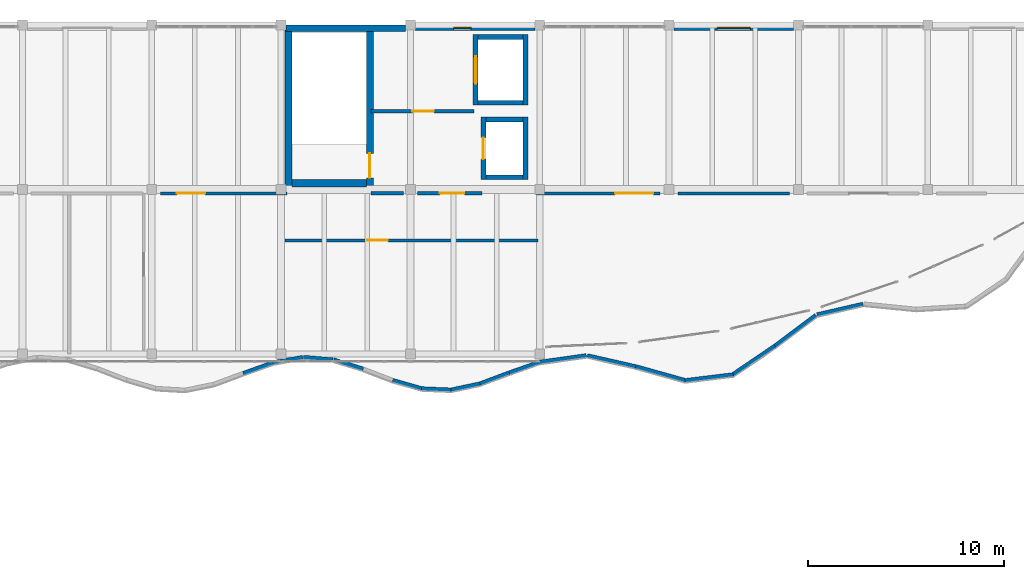
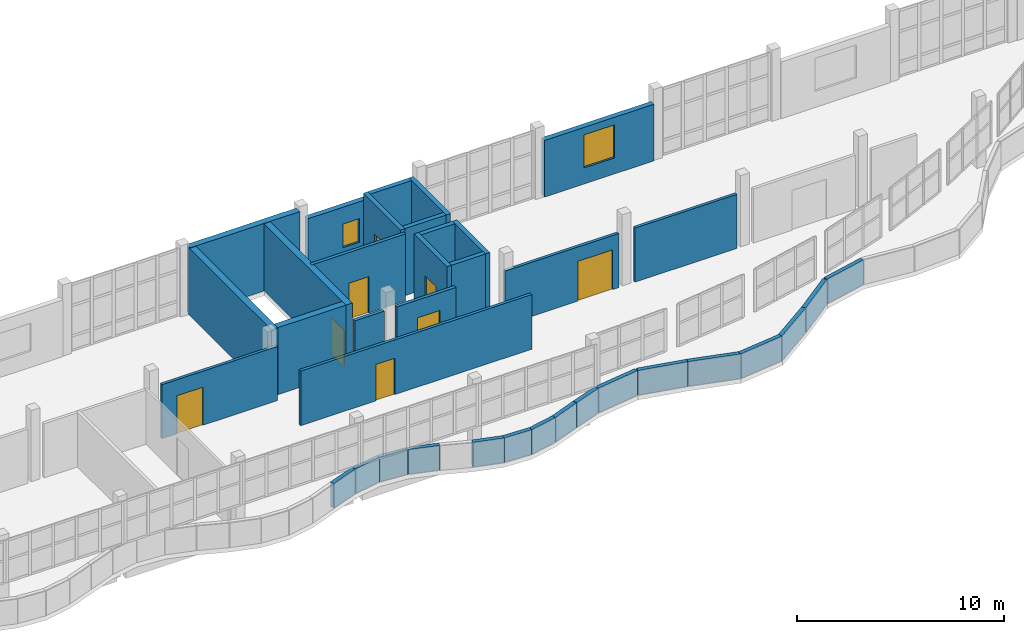
# One storey, part 37 of 47: 37 walls, 8 doors, 2 windows, 10 openings.
"""IFC4 building model written with IfcOpenShell, lengths in metres."""

from ifc_helpers import new_model, si_unit, direction, frame, frame_2d, origin, place, context, subcontext, project, spatial, rectangle, extrude, material, layer, layer_set, type_object, element, fill, save


model = new_model("IFC4")

# Units and contexts
model_context = context("Model", 3, precision=1e-05, world=origin(), true_north=direction((0.0, 1.0)))
body_context = subcontext(model_context, "Body", "Model", "MODEL_VIEW")
ifc_project = project(units=[si_unit("LENGTHUNIT", "METRE"), si_unit("AREAUNIT", "SQUARE_METRE"), si_unit("VOLUMEUNIT", "CUBIC_METRE"), si_unit("PLANEANGLEUNIT", "RADIAN"), si_unit("MASSUNIT", "GRAM", prefix="KILO")], contexts=[model_context])

# Site, building, storey
site_placement = place(None, origin())
site = spatial("IfcSite", under=ifc_project, at=site_placement, CompositionType="ELEMENT")
building_placement = place(site_placement, origin())
building = spatial("IfcBuilding", under=site, at=building_placement, Name="Qaldarim Faculty of Natural and Applied Sciences", CompositionType="ELEMENT")
storey_placement = place(building_placement, frame((0.0, 0.0, 22.800048828125)))
storey = spatial("IfcBuildingStorey", under=building, at=storey_placement, Name="L05", CompositionType="ELEMENT", Elevation=22.800048828125)

# Wall
ifc_material_1 = material(Name="Concrete C50/60", Category="concrete")
ifc_layer_1 = layer(ifc_material_1, 0.360107421875)
ifc_layer_set_1 = layer_set([ifc_layer_1], Name="Concrete C50/60")
wall_type_1 = type_object("IfcWallType", Name="CoreShearWall-360", PredefinedType="SHEAR", material=ifc_layer_set_1)
wall_1_placement = place(storey_placement, frame((99.3701171875, 109.340087890625, 0.0), z_axis=(0.0, 0.0, 1.0), x_axis=(0.0, 1.0, 0.0)))
element("IfcWall", 1, at=wall_1_placement, inside=storey, type_object=wall_type_1, Name="Core stair ST-B1 west shear wall L05", PredefinedType="SHEAR", context=body_context, shape_type="SweptSolid", body=[
    extrude(rectangle(XDim=8.08984375, YDim=0.360107421875, at=frame_2d((4.044921875, 0.0))), origin(), (0.0, 0.0, 1.0), 3.9599609375),
])

# Wall, opening, door
wall_2_placement = place(storey_placement, frame((103.530029296875, 109.340087890625, 0.0), z_axis=(0.0, 0.0, 1.0), x_axis=(0.0, 1.0, 0.0)))
wall_2 = element("IfcWall", 2, at=wall_2_placement, inside=storey, type_object=wall_type_1, Name="Core stair ST-B1 east shear wall L05", PredefinedType="SHEAR", context=body_context, shape_type="SweptSolid", body=[
    extrude(rectangle(XDim=8.08984375, YDim=0.360107421875, at=frame_2d((4.044921875, 0.0))), origin(), (0.0, 0.0, 1.0), 3.9599609375),
])
opening_1_placement = place(wall_2_placement, frame((0.449951171875, 0.0, 0.0)))
opening_1 = element("IfcOpeningElement", 3, at=opening_1_placement, cuts=wall_2, Name="Opening ID04", PredefinedType="OPENING", context=body_context, shape_type="SweptSolid", body=[
    extrude(rectangle(XDim=1.25, YDim=2.14990234375, at=frame_2d((0.625, 1.074951171875))), frame((0.0, 0.18994140625, 0.0), z_axis=(0.0, -1.0, 0.0), x_axis=(1.0, 0.0, 0.0)), (0.0, 0.0, 1.0), 0.380126953125),
])
ifc_material_2 = material(Name="Architectural stainless steel 316", Category="steel")
door_type_1 = type_object("IfcDoorType", Name="StairEnclosureFireDoor-1250x2150", OperationType="NOTDEFINED", PredefinedType="DOOR", material=ifc_material_2)
door_1_placement = place(opening_1_placement, origin())
door_1 = element("IfcDoor", 4, at=door_1_placement, inside=storey, type_object=door_type_1, Name="Protected stair ST-B1 fire door D-L05-532", OperationType="SINGLE_SWING_LEFT", OverallHeight=2.14990234375, OverallWidth=1.25, PredefinedType="DOOR", context=body_context, shape_type="SweptSolid", body=[
    extrude(rectangle(XDim=1.25, YDim=2.14990234375, at=frame_2d((0.625, 1.074951171875))), frame((0.0, 0.02490234375, 0.0), z_axis=(0.0, -1.0, 0.0), x_axis=(1.0, 0.0, 0.0)), (0.0, 0.0, 1.0), 0.050048828125),
])
fill(opening_1, door_1)

# Wall
wall_3_placement = place(storey_placement, frame((99.550048828125, 109.52001953125, 0.0), z_axis=(0.0, 0.0, 1.0), x_axis=(1.0, 0.0, 0.0)))
element("IfcWall", 5, at=wall_3_placement, inside=storey, type_object=wall_type_1, Name="Core stair ST-B1 south shear wall L05", PredefinedType="SHEAR", context=body_context, shape_type="SweptSolid", body=[
    extrude(rectangle(XDim=3.800048828125, YDim=0.360107421875, at=frame_2d((1.89990234375, 0.0))), origin(), (0.0, 0.0, 1.0), 3.9599609375),
])

# Wall, opening, window
ifc_material_3 = material(Name="Precast concrete C40/50", Category="concrete")
ifc_layer_2 = layer(ifc_material_3, 0.280029296875)
ifc_layer_set_2 = layer_set([ifc_layer_2], Name="Precast concrete C40/50")
wall_type_2 = type_object("IfcWallType", Name="ExteriorSpandrelWall-280", PredefinedType="SOLIDWALL", material=ifc_layer_set_2)
wall_4_placement = place(storey_placement, frame((111.955078125, 117.4599609375, 0.0), z_axis=(0.0, 0.0, 1.0), x_axis=(-1.0, 0.0, 0.0)))
wall_4 = element("IfcWall", 6, at=wall_4_placement, inside=storey, type_object=wall_type_2, Name="Exterior wall EW02 L05 N X17Y14", PredefinedType="SOLIDWALL", context=body_context, shape_type="SweptSolid", body=[
    extrude(rectangle(XDim=6.110107421875, YDim=0.280029296875, at=frame_2d((3.05517578125, 0.0))), origin(), (0.0, 0.0, 1.0), 3.344970703125),
])
opening_2_placement = place(wall_4_placement, frame((3.25, 0.0, 0.949951171875)))
opening_2 = element("IfcOpeningElement", 7, at=opening_2_placement, cuts=wall_4, Name="Opening WN05", PredefinedType="OPENING", context=body_context, shape_type="SweptSolid", body=[
    extrude(rectangle(XDim=0.89990234375, YDim=1.39990234375, at=frame_2d((0.449951171875, 0.699951171875))), frame((0.0, 0.14990234375, 0.0), z_axis=(0.0, -1.0, 0.0), x_axis=(1.0, 0.0, 0.0)), (0.0, 0.0, 1.0), 0.300048828125),
])
ifc_material_4 = material(Name="Insulated low-e double glazing", Category="glass")
window_type_1 = type_object("IfcWindowType", Name="Window-900x1400", PartitioningType="SINGLE_PANEL", PredefinedType="WINDOW", material=ifc_material_4)
window_1_placement = place(opening_2_placement, origin())
window_1 = element("IfcWindow", 8, at=window_1_placement, inside=storey, type_object=window_type_1, Name="Facade window WN16 L05 N X17Y14", OverallHeight=1.39990234375, OverallWidth=0.89990234375, PartitioningType="SINGLE_PANEL", PredefinedType="WINDOW", context=body_context, shape_type="SweptSolid", body=[
    extrude(rectangle(XDim=0.89990234375, YDim=1.39990234375, at=frame_2d((0.449951171875, 0.699951171875))), frame((0.0, 0.030029296875, 0.0), z_axis=(0.0, -1.0, 0.0), x_axis=(1.0, 0.0, 0.0)), (0.0, 0.0, 1.0), 0.06005859375),
])
fill(opening_2, window_1)

wall_5_placement = place(storey_placement, frame((125.155029296875, 117.4599609375, 0.0), z_axis=(0.0, 0.0, 1.0), x_axis=(-1.0, 0.0, 0.0)))
wall_5 = element("IfcWall", 9, at=wall_5_placement, inside=storey, type_object=wall_type_2, Name="Exterior wall EW02 L05 N X19Y14", PredefinedType="SOLIDWALL", context=body_context, shape_type="SweptSolid", body=[
    extrude(rectangle(XDim=6.110107421875, YDim=0.280029296875, at=frame_2d((3.05517578125, 0.0))), origin(), (0.0, 0.0, 1.0), 3.344970703125),
])
opening_3_placement = place(wall_5_placement, frame((2.205078125, 0.0, 0.949951171875)))
opening_3 = element("IfcOpeningElement", 10, at=opening_3_placement, cuts=wall_5, Name="Opening WN26", PredefinedType="OPENING", context=body_context, shape_type="SweptSolid", body=[
    extrude(rectangle(XDim=1.699951171875, YDim=1.949951171875, at=frame_2d((0.85009765625, 0.97509765625))), frame((0.0, 0.14990234375, 0.0), z_axis=(0.0, -1.0, 0.0), x_axis=(1.0, 0.0, 0.0)), (0.0, 0.0, 1.0), 0.300048828125),
])
window_type_2 = type_object("IfcWindowType", Name="GalleryWindow-1700x1950", PartitioningType="DOUBLE_PANEL_VERTICAL", PredefinedType="WINDOW", material=ifc_material_4)
window_2_placement = place(opening_3_placement, origin())
window_2 = element("IfcWindow", 11, at=window_2_placement, inside=storey, type_object=window_type_2, Name="Facade window WN26 L05 N X19Y14", OverallHeight=1.949951171875, OverallWidth=1.699951171875, PartitioningType="SINGLE_PANEL", PredefinedType="WINDOW", context=body_context, shape_type="SweptSolid", body=[
    extrude(rectangle(XDim=1.699951171875, YDim=1.949951171875, at=frame_2d((0.85009765625, 0.97509765625))), frame((0.0, 0.030029296875, 0.0), z_axis=(0.0, -1.0, 0.0), x_axis=(1.0, 0.0, 0.0)), (0.0, 0.0, 1.0), 0.06005859375),
])
fill(opening_3, window_2)

# Wall
ifc_layer_3 = layer(ifc_material_1, 0.340087890625)
ifc_layer_set_3 = layer_set([ifc_layer_3], Name="Concrete C50/60")
wall_type_3 = type_object("IfcWallType", Name="ExteriorStairShearWall-340", PredefinedType="SHEAR", material=ifc_layer_set_3)
wall_6_placement = place(storey_placement, frame((105.35498046875, 117.429931640625, 0.0), z_axis=(0.0, 0.0, 1.0), x_axis=(-1.0, 0.0, 0.0)))
element("IfcWall", 12, at=wall_6_placement, inside=storey, type_object=wall_type_3, Name="Exterior wall EW05 L05 N X16Y14", PredefinedType="SHEAR", context=body_context, shape_type="SweptSolid", body=[
    extrude(rectangle(XDim=6.10986328125, YDim=0.340087890625, at=frame_2d((3.054931640625, 0.0))), origin(), (0.0, 0.0, 1.0), 3.97998046875),
])

# Wall, opening, door
ifc_material_5 = material(Name="Concrete C40/50", Category="concrete")
ifc_layer_4 = layer(ifc_material_5, 0.159912109375)
ifc_layer_set_4 = layer_set([ifc_layer_4], Name="Concrete C40/50")
wall_type_4 = type_object("IfcWallType", Name="FireCorridorWall-160", PredefinedType="PARTITIONING", material=ifc_layer_set_4)
wall_7_placement = place(storey_placement, frame((92.85009765625, 109.0, 0.0), z_axis=(0.0, 0.0, 1.0), x_axis=(1.0, 0.0, 0.0)))
wall_7 = element("IfcWall", 13, at=wall_7_placement, inside=storey, type_object=wall_type_4, Name="Interior partition PRT-L05-V4-CORSW-S6", PredefinedType="PARTITIONING", context=body_context, shape_type="SweptSolid", body=[
    extrude(rectangle(XDim=6.449951171875, YDim=0.159912109375, at=frame_2d((3.22509765625, 0.0))), origin(), (0.0, 0.0, 1.0), 3.195068359375),
])
opening_4_placement = place(wall_7_placement, frame((0.830078125, 0.0, 0.0)))
opening_4 = element("IfcOpeningElement", 14, at=opening_4_placement, cuts=wall_7, Name="Opening ID11", PredefinedType="OPENING", context=body_context, shape_type="SweptSolid", body=[
    extrude(rectangle(XDim=1.449951171875, YDim=2.25, at=frame_2d((0.72509765625, 1.125))), frame((0.0, 0.08984375, 0.0), z_axis=(0.0, -1.0, 0.0), x_axis=(1.0, 0.0, 0.0)), (0.0, 0.0, 1.0), 0.179931640625),
])
door_type_2 = type_object("IfcDoorType", Name="InstrumentSuiteDoor-1450x2250", OperationType="NOTDEFINED", PredefinedType="DOOR", material=ifc_material_2)
door_2_placement = place(opening_4_placement, origin())
door_2 = element("IfcDoor", 15, at=door_2_placement, inside=storey, type_object=door_type_2, Name="Interior door D-L05-257", OperationType="SINGLE_SWING_LEFT", OverallHeight=2.25, OverallWidth=1.449951171875, PredefinedType="DOOR", context=body_context, shape_type="SweptSolid", body=[
    extrude(rectangle(XDim=1.449951171875, YDim=2.25, at=frame_2d((0.72509765625, 1.125))), frame((0.0, 0.02490234375, 0.0), z_axis=(0.0, -1.0, 0.0), x_axis=(1.0, 0.0, 0.0)), (0.0, 0.0, 1.0), 0.050048828125),
])
fill(opening_4, door_2)

wall_8_placement = place(storey_placement, frame((112.0, 109.0, 0.0), z_axis=(0.0, 0.0, 1.0), x_axis=(1.0, 0.0, 0.0)))
wall_8 = element("IfcWall", 16, at=wall_8_placement, inside=storey, type_object=wall_type_4, Name="Interior partition PRT-L05-V4-CORSE-S1", PredefinedType="PARTITIONING", context=body_context, shape_type="SweptSolid", body=[
    extrude(rectangle(XDim=6.35009765625, YDim=0.159912109375, at=frame_2d((3.175048828125, 0.0))), origin(), (0.0, 0.0, 1.0), 3.195068359375),
])
opening_5_placement = place(wall_8_placement, frame((4.050048828125, 0.0, 0.0)))
opening_5 = element("IfcOpeningElement", 17, at=opening_5_placement, cuts=wall_8, Name="Opening ID13", PredefinedType="OPENING", context=body_context, shape_type="SweptSolid", body=[
    extrude(rectangle(XDim=1.949951171875, YDim=2.35009765625, at=frame_2d((0.97509765625, 1.175048828125))), frame((0.0, 0.08984375, 0.0), z_axis=(0.0, -1.0, 0.0), x_axis=(1.0, 0.0, 0.0)), (0.0, 0.0, 1.0), 0.179931640625),
])
ifc_material_6 = material(Name="Oak hardwood", Category="wood")
door_type_3 = type_object("IfcDoorType", Name="SymposiumDoubleDoor-1950x2350", OperationType="NOTDEFINED", PredefinedType="DOOR", material=ifc_material_6)
door_3_placement = place(opening_5_placement, origin())
door_3 = element("IfcDoor", 18, at=door_3_placement, inside=storey, type_object=door_type_3, Name="Interior door D-L05-258", OperationType="SINGLE_SWING_LEFT", OverallHeight=2.35009765625, OverallWidth=1.949951171875, PredefinedType="DOOR", context=body_context, shape_type="SweptSolid", body=[
    extrude(rectangle(XDim=1.949951171875, YDim=2.35009765625, at=frame_2d((0.97509765625, 1.175048828125))), frame((0.0, 0.02490234375, 0.0), z_axis=(0.0, -1.0, 0.0), x_axis=(1.0, 0.0, 0.0)), (0.0, 0.0, 1.0), 0.050048828125),
])
fill(opening_5, door_3)

# Wall
wall_9_placement = place(storey_placement, frame((119.25, 109.0, 0.0), z_axis=(0.0, 0.0, 1.0), x_axis=(1.0, 0.0, 0.0)))
element("IfcWall", 19, at=wall_9_placement, inside=storey, type_object=wall_type_4, Name="Interior partition PRT-L05-V4-CORSE-S2", PredefinedType="PARTITIONING", context=body_context, shape_type="SweptSolid", body=[
    extrude(rectangle(XDim=5.699951171875, YDim=0.159912109375, at=frame_2d((2.85009765625, 0.0))), origin(), (0.0, 0.0, 1.0), 3.195068359375),
])

# Wall, opening, door
wall_10_placement = place(storey_placement, frame((99.199951171875, 106.60009765625, 0.0), z_axis=(0.0, 0.0, 1.0), x_axis=(1.0, 0.0, 0.0)))
wall_10 = element("IfcWall", 20, at=wall_10_placement, inside=storey, type_object=wall_type_4, Name="Interior partition PRT-L05-V4-PRPN", PredefinedType="PARTITIONING", context=body_context, shape_type="SweptSolid", body=[
    extrude(rectangle(XDim=12.900146484375, YDim=0.159912109375, at=frame_2d((6.4501953125, 0.0))), origin(), (0.0, 0.0, 1.0), 3.22998046875),
])
opening_6_placement = place(wall_10_placement, frame((4.199951171875, 0.0, 0.0)))
opening_6 = element("IfcOpeningElement", 21, at=opening_6_placement, cuts=wall_10, Name="Opening ID02", PredefinedType="OPENING", context=body_context, shape_type="SweptSolid", body=[
    extrude(rectangle(XDim=1.050048828125, YDim=2.14990234375, at=frame_2d((0.52490234375, 1.074951171875))), frame((0.0, 0.08984375, 0.0), z_axis=(0.0, -1.0, 0.0), x_axis=(1.0, 0.0, 0.0)), (0.0, 0.0, 1.0), 0.179931640625),
])
door_type_4 = type_object("IfcDoorType", Name="AccessibleRoomDoor-1050x2150", OperationType="NOTDEFINED", PredefinedType="DOOR", material=ifc_material_6)
door_4_placement = place(opening_6_placement, origin())
door_4 = element("IfcDoor", 22, at=door_4_placement, inside=storey, type_object=door_type_4, Name="Interior door D-L05-400", OperationType="SINGLE_SWING_LEFT", OverallHeight=2.14990234375, OverallWidth=1.050048828125, PredefinedType="DOOR", context=body_context, shape_type="SweptSolid", body=[
    extrude(rectangle(XDim=1.050048828125, YDim=2.14990234375, at=frame_2d((0.52490234375, 1.074951171875))), frame((0.0, 0.02490234375, 0.0), z_axis=(0.0, -1.0, 0.0), x_axis=(1.0, 0.0, 0.0)), (0.0, 0.0, 1.0), 0.050048828125),
])
fill(opening_6, door_4)

# Wall
ifc_layer_5 = layer(ifc_material_5, 0.179931640625)
ifc_layer_set_5 = layer_set([ifc_layer_5], Name="Concrete C40/50")
wall_type_5 = type_object("IfcWallType", Name="LabFireCompartmentWall-180", PredefinedType="SOLIDWALL", material=ifc_layer_set_5)
wall_11_placement = place(storey_placement, frame((103.60009765625, 109.010009765625, 0.0), z_axis=(0.0, 0.0, 1.0), x_axis=(1.0, 0.0, 0.0)))
element("IfcWall", 23, at=wall_11_placement, inside=storey, type_object=wall_type_5, Name="Fire-fighting lobby south-west compartment wall Core B L05", PredefinedType="SOLIDWALL", context=body_context, shape_type="SweptSolid", body=[
    extrude(rectangle(XDim=1.64990234375, YDim=0.179931640625, at=frame_2d((0.824951171875, 0.0))), origin(), (0.0, 0.0, 1.0), 3.195068359375),
])

# Wall, opening, door
wall_12_placement = place(storey_placement, frame((105.949951171875, 109.010009765625, 0.0), z_axis=(0.0, 0.0, 1.0), x_axis=(1.0, 0.0, 0.0)))
wall_12 = element("IfcWall", 24, at=wall_12_placement, inside=storey, type_object=wall_type_5, Name="Fire-fighting lobby south compartment wall Core B L05", PredefinedType="SOLIDWALL", context=body_context, shape_type="SweptSolid", body=[
    extrude(rectangle(XDim=3.300048828125, YDim=0.179931640625, at=frame_2d((1.64990234375, 0.0))), origin(), (0.0, 0.0, 1.0), 3.195068359375),
])
opening_7_placement = place(wall_12_placement, frame((1.14990234375, 0.0, 0.0)))
opening_7 = element("IfcOpeningElement", 25, at=opening_7_placement, cuts=wall_12, Name="Opening ID04", PredefinedType="OPENING", context=body_context, shape_type="SweptSolid", body=[
    extrude(rectangle(XDim=1.25, YDim=2.14990234375, at=frame_2d((0.625, 1.074951171875))), frame((0.0, 0.099853515625, 0.0), z_axis=(0.0, -1.0, 0.0), x_axis=(1.0, 0.0, 0.0)), (0.0, 0.0, 1.0), 0.199951171875),
])
door_5_placement = place(opening_7_placement, origin())
door_5 = element("IfcDoor", 26, at=door_5_placement, inside=storey, type_object=door_type_1, Name="Fire-fighting lobby door Core B D-L05-648", OperationType="SINGLE_SWING_LEFT", OverallHeight=2.14990234375, OverallWidth=1.25, PredefinedType="DOOR", context=body_context, shape_type="SweptSolid", body=[
    extrude(rectangle(XDim=1.25, YDim=2.14990234375, at=frame_2d((0.625, 1.074951171875))), frame((0.0, 0.02490234375, 0.0), z_axis=(0.0, -1.0, 0.0), x_axis=(1.0, 0.0, 0.0)), (0.0, 0.0, 1.0), 0.050048828125),
])
fill(opening_7, door_5)

wall_13_placement = place(storey_placement, frame((103.60009765625, 113.18994140625, 0.0), z_axis=(0.0, 0.0, 1.0), x_axis=(1.0, 0.0, 0.0)))
wall_13 = element("IfcWall", 27, at=wall_13_placement, inside=storey, type_object=wall_type_5, Name="Fire-fighting lobby north wall Core B L05", PredefinedType="SOLIDWALL", context=body_context, shape_type="SweptSolid", body=[
    extrude(rectangle(XDim=5.25, YDim=0.179931640625, at=frame_2d((2.625, 0.0))), origin(), (0.0, 0.0, 1.0), 3.9599609375),
])
opening_8_placement = place(wall_13_placement, frame((2.10009765625, 0.0, 0.0)))
opening_8 = element("IfcOpeningElement", 28, at=opening_8_placement, cuts=wall_13, Name="Opening ID03", PredefinedType="OPENING", context=body_context, shape_type="SweptSolid", body=[
    extrude(rectangle(XDim=1.10009765625, YDim=2.14990234375, at=frame_2d((0.550048828125, 1.074951171875))), frame((0.0, 0.099853515625, 0.0), z_axis=(0.0, -1.0, 0.0), x_axis=(1.0, 0.0, 0.0)), (0.0, 0.0, 1.0), 0.199951171875),
])
door_type_5 = type_object("IfcDoorType", Name="FireLobbyDoor-1100x2150", OperationType="NOTDEFINED", PredefinedType="DOOR", material=ifc_material_6)
door_6_placement = place(opening_8_placement, frame((1.10009765625, 0.0, 0.0), z_axis=(0.0, 0.0, 1.0), x_axis=(-1.0, 0.0, 0.0)))
door_6 = element("IfcDoor", 29, at=door_6_placement, inside=storey, type_object=door_type_5, Name="Passenger lift lobby door Core B D-L05-649", OperationType="SINGLE_SWING_RIGHT", OverallHeight=2.14990234375, OverallWidth=1.10009765625, PredefinedType="DOOR", context=body_context, shape_type="SweptSolid", body=[
    extrude(rectangle(XDim=1.10009765625, YDim=2.14990234375, at=frame_2d((0.550048828125, 1.074951171875))), frame((0.0, 0.02490234375, 0.0), z_axis=(0.0, -1.0, 0.0), x_axis=(1.0, 0.0, 0.0)), (0.0, 0.0, 1.0), 0.050048828125),
])
fill(opening_8, door_6)

ifc_layer_6 = layer(ifc_material_5, 0.25)
ifc_layer_set_6 = layer_set([ifc_layer_6], Name="Concrete C40/50")
wall_type_6 = type_object("IfcWallType", Name="LiftShaftWall-250", PredefinedType="SHEAR", material=ifc_layer_set_6)
wall_14_placement = place(storey_placement, frame((109.324951171875, 109.699951171875, 0.0), z_axis=(0.0, 0.0, 1.0), x_axis=(0.0, 1.0, 0.0)))
wall_14 = element("IfcWall", 30, at=wall_14_placement, inside=storey, type_object=wall_type_6, Name="Lift LF-B1 front shaft wall L05", PredefinedType="SHEAR", context=body_context, shape_type="SweptSolid", body=[
    extrude(rectangle(XDim=3.199951171875, YDim=0.25, at=frame_2d((1.60009765625, 0.0))), origin(), (0.0, 0.0, 1.0), 3.9599609375),
])
opening_9_placement = place(wall_14_placement, frame((1.050048828125, 0.0, 0.0)))
opening_9 = element("IfcOpeningElement", 31, at=opening_9_placement, cuts=wall_14, Name="Opening LD01", PredefinedType="OPENING", context=body_context, shape_type="SweptSolid", body=[
    extrude(rectangle(XDim=1.10009765625, YDim=2.14990234375, at=frame_2d((0.550048828125, 1.074951171875))), frame((0.0, 0.135009765625, 0.0), z_axis=(0.0, -1.0, 0.0), x_axis=(1.0, 0.0, 0.0)), (0.0, 0.0, 1.0), 0.27001953125),
])
door_type_6 = type_object("IfcDoorType", Name="LiftLandingSlidingDoor-1100x2150", OperationType="NOTDEFINED", PredefinedType="DOOR", material=ifc_material_2)
door_7_placement = place(opening_9_placement, origin())
door_7 = element("IfcDoor", 32, at=door_7_placement, inside=storey, type_object=door_type_6, Name="Lift landing sliding door LF-B1 D-L05-628", OperationType="SLIDING_TO_LEFT", OverallHeight=2.14990234375, OverallWidth=1.10009765625, PredefinedType="DOOR", context=body_context, shape_type="SweptSolid", body=[
    extrude(rectangle(XDim=1.10009765625, YDim=2.14990234375, at=frame_2d((0.550048828125, 1.074951171875))), frame((0.0, 0.02490234375, 0.0), z_axis=(0.0, -1.0, 0.0), x_axis=(1.0, 0.0, 0.0)), (0.0, 0.0, 1.0), 0.050048828125),
])
fill(opening_9, door_7)

# Walls
wall_15_placement = place(storey_placement, frame((111.47509765625, 109.699951171875, 0.0), z_axis=(0.0, 0.0, 1.0), x_axis=(0.0, 1.0, 0.0)))
element("IfcWall", 33, at=wall_15_placement, inside=storey, type_object=wall_type_6, Name="Lift LF-B1 rear shaft wall L05", PredefinedType="SHEAR", context=body_context, shape_type="SweptSolid", body=[
    extrude(rectangle(XDim=3.199951171875, YDim=0.25, at=frame_2d((1.60009765625, 0.0))), origin(), (0.0, 0.0, 1.0), 3.9599609375),
])
for number, where, z_axis, x_axis, name in (
    (34, (109.449951171875, 109.824951171875, 0.0), (0.0, 0.0, 1.0), (1.0, 0.0, 0.0), "Lift LF-B1 south shaft wall L05"),
    (35, (109.449951171875, 112.77490234375, 0.0), (0.0, 0.0, 1.0), (1.0, 0.0, 0.0), "Lift LF-B1 north shaft wall L05"),
):
    element("IfcWall", number, at=place(storey_placement, frame(where, z_axis=z_axis, x_axis=x_axis)), inside=storey, type_object=wall_type_6, Name=name, PredefinedType="SHEAR", context=body_context, shape_type="SweptSolid", body=[
        extrude(rectangle(XDim=1.900146484375, YDim=0.25, at=frame_2d((0.9501953125, 0.0))), origin(), (0.0, 0.0, 1.0), 3.9599609375),
    ])

# Wall, opening, door
wall_16_placement = place(storey_placement, frame((108.925048828125, 113.5, 0.0), z_axis=(0.0, 0.0, 1.0), x_axis=(0.0, 1.0, 0.0)))
wall_16 = element("IfcWall", 36, at=wall_16_placement, inside=storey, type_object=wall_type_6, Name="Lift LF-B2 front shaft wall L05", PredefinedType="SHEAR", context=body_context, shape_type="SweptSolid", body=[
    extrude(rectangle(XDim=3.60009765625, YDim=0.25, at=frame_2d((1.800048828125, 0.0))), origin(), (0.0, 0.0, 1.0), 3.9599609375),
])
opening_10_placement = place(wall_16_placement, frame((1.10009765625, 0.0, 0.0)))
opening_10 = element("IfcOpeningElement", 37, at=opening_10_placement, cuts=wall_16, Name="Opening LD02", PredefinedType="OPENING", context=body_context, shape_type="SweptSolid", body=[
    extrude(rectangle(XDim=1.39990234375, YDim=2.199951171875, at=frame_2d((0.699951171875, 1.10009765625))), frame((0.0, 0.135009765625, 0.0), z_axis=(0.0, -1.0, 0.0), x_axis=(1.0, 0.0, 0.0)), (0.0, 0.0, 1.0), 0.27001953125),
])
door_type_7 = type_object("IfcDoorType", Name="GoodsLiftSlidingDoor-1400x2200", OperationType="NOTDEFINED", PredefinedType="DOOR", material=ifc_material_2)
door_8_placement = place(opening_10_placement, origin())
door_8 = element("IfcDoor", 38, at=door_8_placement, inside=storey, type_object=door_type_7, Name="Lift landing sliding door LF-B2 D-L05-635", OperationType="SLIDING_TO_LEFT", OverallHeight=2.199951171875, OverallWidth=1.39990234375, PredefinedType="DOOR", context=body_context, shape_type="SweptSolid", body=[
    extrude(rectangle(XDim=1.39990234375, YDim=2.199951171875, at=frame_2d((0.699951171875, 1.10009765625))), frame((0.0, 0.02490234375, 0.0), z_axis=(0.0, -1.0, 0.0), x_axis=(1.0, 0.0, 0.0)), (0.0, 0.0, 1.0), 0.050048828125),
])
fill(opening_10, door_8)

# Walls
wall_17_placement = place(storey_placement, frame((111.47509765625, 113.5, 0.0), z_axis=(0.0, 0.0, 1.0), x_axis=(0.0, 1.0, 0.0)))
element("IfcWall", 39, at=wall_17_placement, inside=storey, type_object=wall_type_6, Name="Lift LF-B2 rear shaft wall L05", PredefinedType="SHEAR", context=body_context, shape_type="SweptSolid", body=[
    extrude(rectangle(XDim=3.60009765625, YDim=0.25, at=frame_2d((1.800048828125, 0.0))), origin(), (0.0, 0.0, 1.0), 3.9599609375),
])
for number, where, z_axis, x_axis, name in (
    (40, (109.050048828125, 113.625, 0.0), (0.0, 0.0, 1.0), (1.0, 0.0, 0.0), "Lift LF-B2 south shaft wall L05"),
    (41, (109.050048828125, 116.97509765625, 0.0), (0.0, 0.0, 1.0), (1.0, 0.0, 0.0), "Lift LF-B2 north shaft wall L05"),
):
    element("IfcWall", number, at=place(storey_placement, frame(where, z_axis=z_axis, x_axis=x_axis)), inside=storey, type_object=wall_type_6, Name=name, PredefinedType="SHEAR", context=body_context, shape_type="SweptSolid", body=[
        extrude(rectangle(XDim=2.300048828125, YDim=0.25, at=frame_2d((1.14990234375, 0.0))), origin(), (0.0, 0.0, 1.0), 3.9599609375),
    ])
ifc_material_7 = material(Name="White architectural precast concrete C40/50", Category="concrete")
ifc_layer_7 = layer(ifc_material_7, 0.219970703125)
ifc_layer_set_7 = layer_set([ifc_layer_7], Name="White architectural precast concrete C40/50")
wall_type_7 = type_object("IfcWallType", Name="WhitePrecastWaveBand-220", PredefinedType="SOLIDWALL", material=ifc_layer_set_7)
wall_18_placement = place(storey_placement, frame((97.070068359375, 99.81005859375, 0.0), z_axis=(0.0, 0.0, 1.0), x_axis=(0.941593715183, 0.336751058688, 0.0)))
element("IfcWall", 42, at=wall_18_placement, inside=storey, type_object=wall_type_7, Name="White precast wave spandrel band L05 chord 26", PredefinedType="SOLIDWALL", context=body_context, shape_type="SweptSolid", body=[
    extrude(rectangle(XDim=1.603759765625, YDim=0.219970703125, at=frame_2d((0.8017578125, 0.0))), origin(), (0.0, 0.0, 1.0), 1.449951171875),
])
wall_19_placement = place(storey_placement, frame((98.60009765625, 100.360107421875, 0.0), z_axis=(0.0, 0.0, 1.0), x_axis=(0.984308919427, 0.176453821539, 0.0)))
element("IfcWall", 43, at=wall_19_placement, inside=storey, type_object=wall_type_7, Name="White precast wave spandrel band L05 chord 27", PredefinedType="SOLIDWALL", context=body_context, shape_type="SweptSolid", body=[
    extrude(rectangle(XDim=1.52880859375, YDim=0.219970703125, at=frame_2d((0.764404296875, 0.0))), origin(), (0.0, 0.0, 1.0), 1.449951171875),
])
wall_20_placement = place(storey_placement, frame((100.139892578125, 100.6298828125, 0.0), z_axis=(0.0, 0.0, 1.0), x_axis=(0.996591169262, -0.082498735434, 0.0)))
element("IfcWall", 44, at=wall_20_placement, inside=storey, type_object=wall_type_7, Name="White precast wave spandrel band L05 chord 28", PredefinedType="SOLIDWALL", context=body_context, shape_type="SweptSolid", body=[
    extrude(rectangle(XDim=1.51513671875, YDim=0.219970703125, at=frame_2d((0.757568359375, 0.0))), origin(), (0.0, 0.0, 1.0), 1.449951171875),
])
wall_21_placement = place(storey_placement, frame((101.679931640625, 100.5, 0.0), z_axis=(0.0, 0.0, 1.0), x_axis=(0.95569544679, -0.294357287977, 0.0)))
element("IfcWall", 45, at=wall_21_placement, inside=storey, type_object=wall_type_7, Name="White precast wave spandrel band L05 chord 29", PredefinedType="SOLIDWALL", context=body_context, shape_type="SweptSolid", body=[
    extrude(rectangle(XDim=1.580078125, YDim=0.219970703125, at=frame_2d((0.7900390625, 0.0))), origin(), (0.0, 0.0, 1.0), 1.449951171875),
])
wall_22_placement = place(storey_placement, frame((104.695068359375, 99.455078125, 0.0), z_axis=(0.0, 0.0, 1.0), x_axis=(0.96173490152, -0.273981713254, 0.0)))
element("IfcWall", 46, at=wall_22_placement, inside=storey, type_object=wall_type_7, Name="White precast wave spandrel band L05 chord 31", PredefinedType="SOLIDWALL", context=body_context, shape_type="SweptSolid", body=[
    extrude(rectangle(XDim=1.570068359375, YDim=0.219970703125, at=frame_2d((0.78515625, 0.0))), origin(), (0.0, 0.0, 1.0), 1.449951171875),
])
wall_23_placement = place(storey_placement, frame((106.169921875, 99.030029296875, 0.0), z_axis=(0.0, 0.0, 1.0), x_axis=(0.999076468064, -0.042967557074, 0.0)))
element("IfcWall", 47, at=wall_23_placement, inside=storey, type_object=wall_type_7, Name="White precast wave spandrel band L05 chord 32", PredefinedType="SOLIDWALL", context=body_context, shape_type="SweptSolid", body=[
    extrude(rectangle(XDim=1.511474609375, YDim=0.219970703125, at=frame_2d((0.755859375, 0.0))), origin(), (0.0, 0.0, 1.0), 1.449951171875),
])
wall_24_placement = place(storey_placement, frame((107.64501953125, 98.9599609375, 0.0), z_axis=(0.0, 0.0, 1.0), x_axis=(0.978265247214, 0.207357435586, 0.0)))
element("IfcWall", 48, at=wall_24_placement, inside=storey, type_object=wall_type_7, Name="White precast wave spandrel band L05 chord 33", PredefinedType="SOLIDWALL", context=body_context, shape_type="SweptSolid", body=[
    extrude(rectangle(XDim=1.54345703125, YDim=0.219970703125, at=frame_2d((0.771728515625, 0.0))), origin(), (0.0, 0.0, 1.0), 1.449951171875),
])
wall_25_placement = place(storey_placement, frame((109.135009765625, 99.27490234375, 0.0), z_axis=(0.0, 0.0, 1.0), x_axis=(0.936154301918, 0.351589423903, 0.0)))
element("IfcWall", 49, at=wall_25_placement, inside=storey, type_object=wall_type_7, Name="White precast wave spandrel band L05 chord 34", PredefinedType="SOLIDWALL", context=body_context, shape_type="SweptSolid", body=[
    extrude(rectangle(XDim=1.607421875, YDim=0.219970703125, at=frame_2d((0.8037109375, 0.0))), origin(), (0.0, 0.0, 1.0), 1.449951171875),
])
wall_26_placement = place(storey_placement, frame((110.64501953125, 99.840087890625, 0.0), z_axis=(0.0, 0.0, 1.0), x_axis=(0.943560676249, 0.331199713522, 0.0)))
element("IfcWall", 50, at=wall_26_placement, inside=storey, type_object=wall_type_7, Name="White precast wave spandrel band L05 chord 35", PredefinedType="SOLIDWALL", context=body_context, shape_type="SweptSolid", body=[
    extrude(rectangle(XDim=1.600341796875, YDim=0.219970703125, at=frame_2d((0.80029296875, 0.0))), origin(), (0.0, 0.0, 1.0), 1.449951171875),
])
wall_27_placement = place(storey_placement, frame((112.179931640625, 100.3798828125, 0.0), z_axis=(0.0, 0.0, 1.0), x_axis=(0.990109991905, 0.140293278275, 0.0)))
element("IfcWall", 51, at=wall_27_placement, inside=storey, type_object=wall_type_7, Name="White precast wave spandrel band L05 chord 36", PredefinedType="SOLIDWALL", context=body_context, shape_type="SweptSolid", body=[
    extrude(rectangle(XDim=2.424072265625, YDim=0.219970703125, at=frame_2d((1.2119140625, 0.0))), origin(), (0.0, 0.0, 1.0), 1.449951171875),
])
wall_28_placement = place(storey_placement, frame((114.6298828125, 100.715087890625, 0.0), z_axis=(0.0, 0.0, 1.0), x_axis=(0.975148981181, -0.221550139926, 0.0)))
element("IfcWall", 52, at=wall_28_placement, inside=storey, type_object=wall_type_7, Name="White precast wave spandrel band L05 chord 37", PredefinedType="SOLIDWALL", context=body_context, shape_type="SweptSolid", body=[
    extrude(rectangle(XDim=2.52783203125, YDim=0.219970703125, at=frame_2d((1.263916015625, 0.0))), origin(), (0.0, 0.0, 1.0), 1.449951171875),
])
wall_29_placement = place(storey_placement, frame((117.10498046875, 100.155029296875, 0.0), z_axis=(0.0, 0.0, 1.0), x_axis=(0.9631326757, -0.269026855534, 0.0)))
element("IfcWall", 53, at=wall_29_placement, inside=storey, type_object=wall_type_7, Name="White precast wave spandrel band L05 chord 38", PredefinedType="SOLIDWALL", context=body_context, shape_type="SweptSolid", body=[
    extrude(rectangle(XDim=2.657958984375, YDim=0.219970703125, at=frame_2d((1.3291015625, 0.0))), origin(), (0.0, 0.0, 1.0), 1.449951171875),
])
wall_30_placement = place(storey_placement, frame((119.610107421875, 99.445068359375, 0.0), z_axis=(0.0, 0.0, 1.0), x_axis=(0.99267207765, 0.120839340673, 0.0)))
element("IfcWall", 54, at=wall_30_placement, inside=storey, type_object=wall_type_7, Name="White precast wave spandrel band L05 chord 39", PredefinedType="SOLIDWALL", context=body_context, shape_type="SweptSolid", body=[
    extrude(rectangle(XDim=2.483154296875, YDim=0.219970703125, at=frame_2d((1.24169921875, 0.0))), origin(), (0.0, 0.0, 1.0), 1.449951171875),
])
wall_31_placement = place(storey_placement, frame((122.010009765625, 99.719970703125, 0.0), z_axis=(0.0, 0.0, 1.0), x_axis=(0.82768252605, 0.561196610887, 0.0)))
element("IfcWall", 55, at=wall_31_placement, inside=storey, type_object=wall_type_7, Name="White precast wave spandrel band L05 chord 40", PredefinedType="SOLIDWALL", context=body_context, shape_type="SweptSolid", body=[
    extrude(rectangle(XDim=2.6640625, YDim=0.219970703125, at=frame_2d((1.33203125, 0.0))), origin(), (0.0, 0.0, 1.0), 1.449951171875),
])
wall_32_placement = place(storey_placement, frame((124.2099609375, 101.2099609375, 0.0), z_axis=(0.0, 0.0, 1.0), x_axis=(0.799540270237, 0.600612484277, 0.0)))
element("IfcWall", 56, at=wall_32_placement, inside=storey, type_object=wall_type_7, Name="White precast wave spandrel band L05 chord 41", PredefinedType="SOLIDWALL", context=body_context, shape_type="SweptSolid", body=[
    extrude(rectangle(XDim=2.614013671875, YDim=0.219970703125, at=frame_2d((1.30712890625, 0.0))), origin(), (0.0, 0.0, 1.0), 1.449951171875),
])
wall_33_placement = place(storey_placement, frame((126.35498046875, 102.804931640625, 0.0), z_axis=(0.0, 0.0, 1.0), x_axis=(0.974389482334, 0.224866931134, 0.0)))
element("IfcWall", 57, at=wall_33_placement, inside=storey, type_object=wall_type_7, Name="White precast wave spandrel band L05 chord 42", PredefinedType="SOLIDWALL", context=body_context, shape_type="SweptSolid", body=[
    extrude(rectangle(XDim=2.401611328125, YDim=0.219970703125, at=frame_2d((1.20068359375, 0.0))), origin(), (0.0, 0.0, 1.0), 1.449951171875),
])

save(model, "model.ifc")
